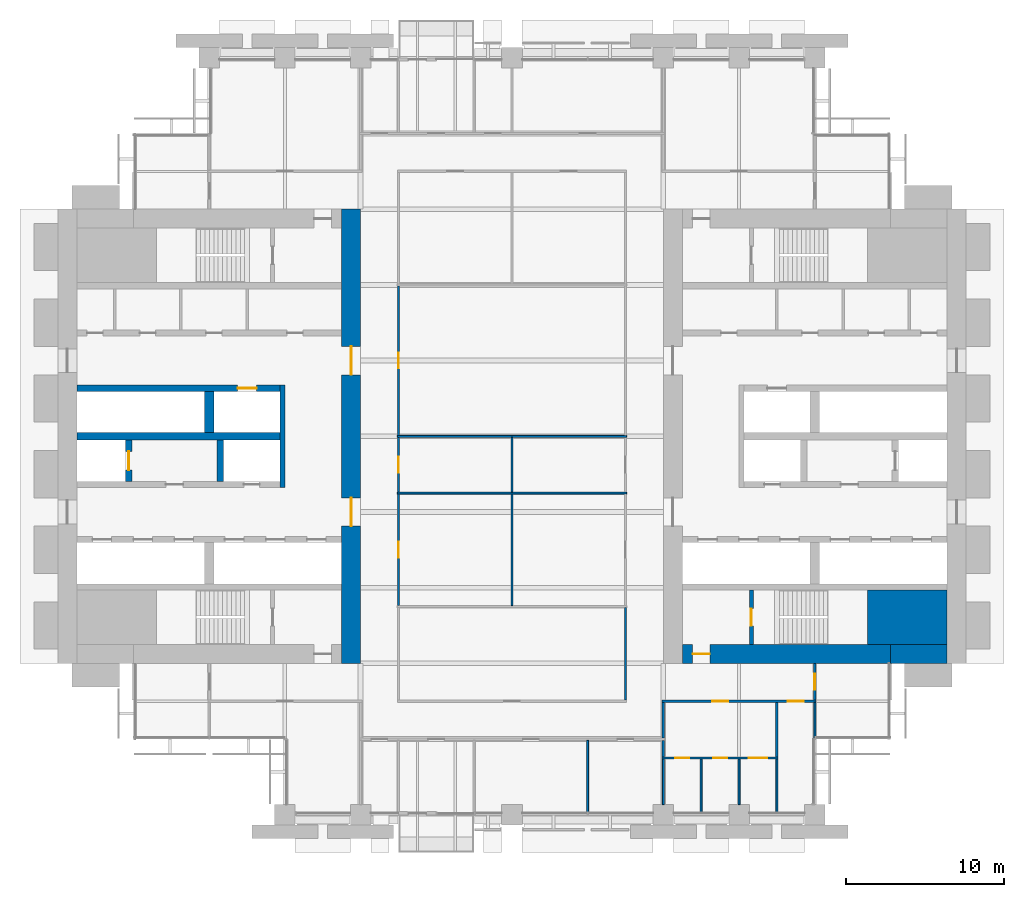
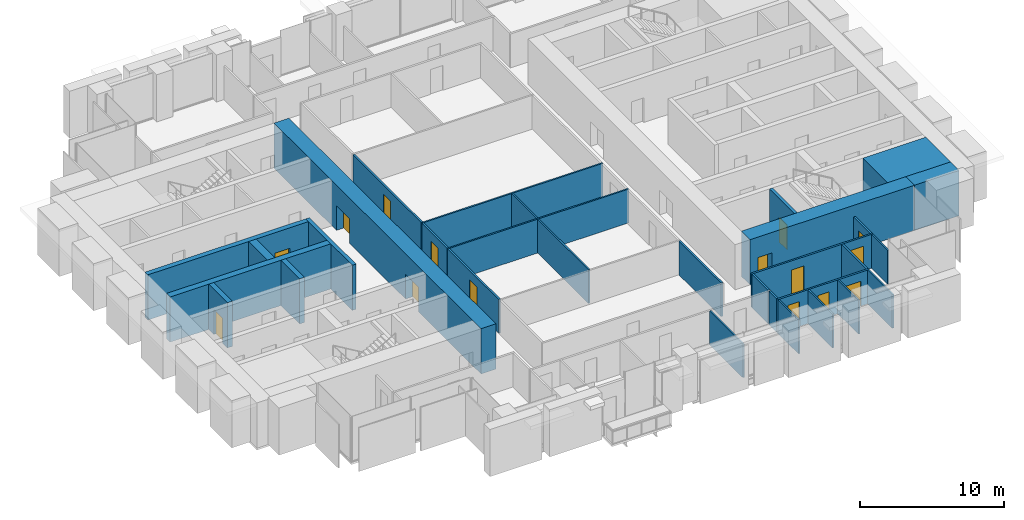
# One storey, part 10 of 15: 31 walls, 15 doors, 15 openings.
"""IFC4 building model written with IfcOpenShell, lengths in metres."""

from ifc_helpers import new_model, si_unit, direction, frame, frame_2d, origin, place, context, subcontext, project, spatial, rectangle, extrude, material, layer, layer_set, type_object, element, fill, save


model = new_model("IFC4")

# Units and contexts
model_context = context("Model", 3, precision=1e-05, world=origin(), true_north=direction((0.0, 1.0)))
body_context = subcontext(model_context, "Body", "Model", "MODEL_VIEW")
ifc_project = project(units=[si_unit("LENGTHUNIT", "METRE"), si_unit("AREAUNIT", "SQUARE_METRE"), si_unit("VOLUMEUNIT", "CUBIC_METRE"), si_unit("PLANEANGLEUNIT", "RADIAN"), si_unit("MASSUNIT", "GRAM", prefix="KILO")], contexts=[model_context])

# Site, building, storey
site_placement = place(None, origin())
site = spatial("IfcSite", under=ifc_project, at=site_placement, CompositionType="ELEMENT")
building_placement = place(site_placement, origin())
building = spatial("IfcBuilding", under=site, at=building_placement, Name="Baori Bourse Tower", CompositionType="ELEMENT")
storey_placement = place(building_placement, frame((0.0, 0.0, 47.0)))
storey = spatial("IfcBuildingStorey", under=building, at=storey_placement, Name="L09", CompositionType="ELEMENT", Elevation=47.0)

# Wall
ifc_material_1 = material(Name="Concrete f'c 70 MPa", Category="concrete")
wall_type_1 = type_object("IfcWallType", Name="Core corner block f'c 70", PredefinedType="SHEAR", material=ifc_material_1)
wall_1_placement = place(storey_placement, frame((51.35009765625, 12.52490234375, 0.0), z_axis=(0.0, 0.0, 1.0), x_axis=(1.0, 0.0, 0.0)))
element("IfcWall", 1, at=wall_1_placement, inside=storey, type_object=wall_type_1, Name="Core wall E05", PredefinedType="SHEAR", context=body_context, shape_type="SweptSolid", body=[
    extrude(rectangle(XDim=5.0498046875, YDim=3.449951171875, at=frame_2d((2.52490234375, 0.0))), origin(), (0.0, 0.0, 1.0), 3.840087890625),
])

# Wall, openings, doors
ifc_material_2 = material(Name="Concrete f'c 70 MPa", Category="concrete")
ifc_layer_1 = layer(ifc_material_2, 1.199951171875)
ifc_layer_set_1 = layer_set([ifc_layer_1], Name="Core wall 1200 f'c 70")
wall_type_2 = type_object("IfcWallType", Name="Core wall 1200 f'c 70", PredefinedType="SHEAR", material=ifc_layer_set_1)
wall_2_placement = place(storey_placement, frame((18.60009765625, 38.39990234375, 0.0), z_axis=(0.0, 0.0, 1.0), x_axis=(0.0, -1.0, 0.0)))
wall_2 = element("IfcWall", 2, at=wall_2_placement, inside=storey, type_object=wall_type_2, Name="Core wall W04", PredefinedType="SHEAR", context=body_context, shape_type="SweptSolid", body=[
    extrude(rectangle(XDim=28.7998046875, YDim=1.199951171875, at=frame_2d((14.39990234375, 0.0))), origin(), (0.0, 0.0, 1.0), 3.840087890625),
])
opening_1_placement = place(wall_2_placement, frame((18.300048828125, 0.0, 0.0)))
opening_1 = element("IfcOpeningElement", 3, at=opening_1_placement, cuts=wall_2, Name="Opening L09-D107", PredefinedType="OPENING", context=body_context, shape_type="SweptSolid", body=[
    extrude(rectangle(XDim=1.800048828125, YDim=2.10009765625, at=frame_2d((0.89990234375, 1.050048828125))), frame((0.0, 0.60986328125, 0.0), z_axis=(0.0, -1.0, 0.0), x_axis=(1.0, 0.0, 0.0)), (0.0, 0.0, 1.0), 1.219970703125),
])
opening_2_placement = place(wall_2_placement, frame((8.699951171875, 0.0, 0.0)))
opening_2 = element("IfcOpeningElement", 4, at=opening_2_placement, cuts=wall_2, Name="Opening L09-D108", PredefinedType="OPENING", context=body_context, shape_type="SweptSolid", body=[
    extrude(rectangle(XDim=1.800048828125, YDim=2.10009765625, at=frame_2d((0.89990234375, 1.050048828125))), frame((0.0, 0.60986328125, 0.0), z_axis=(0.0, -1.0, 0.0), x_axis=(1.0, 0.0, 0.0)), (0.0, 0.0, 1.0), 1.219970703125),
])
ifc_material_3 = material(Name="Painted steel door", Category="steel")
door_type_1 = type_object("IfcDoorType", Name="Core lobby door 1800", OperationType="DOUBLE_DOOR_SINGLE_SWING", PredefinedType="DOOR", material=ifc_material_3)
door_1_placement = place(opening_1_placement, origin())
door_1 = element("IfcDoor", 5, at=door_1_placement, inside=storey, type_object=door_type_1, Name="Lobby door W L09", OperationType="DOUBLE_DOOR_SINGLE_SWING", OverallHeight=2.10009765625, OverallWidth=1.800048828125, PredefinedType="DOOR", context=body_context, shape_type="SweptSolid", body=[
    extrude(rectangle(XDim=1.800048828125, YDim=2.10009765625, at=frame_2d((0.89990234375, 1.050048828125))), frame((0.0, 0.02490234375, 0.0), z_axis=(0.0, -1.0, 0.0), x_axis=(1.0, 0.0, 0.0)), (0.0, 0.0, 1.0), 0.050048828125),
])
fill(opening_1, door_1)
door_2_placement = place(opening_2_placement, origin())
door_2 = element("IfcDoor", 6, at=door_2_placement, inside=storey, type_object=door_type_1, Name="Lobby door W L09", OperationType="DOUBLE_DOOR_SINGLE_SWING", OverallHeight=2.10009765625, OverallWidth=1.800048828125, PredefinedType="DOOR", context=body_context, shape_type="SweptSolid", body=[
    extrude(rectangle(XDim=1.800048828125, YDim=2.10009765625, at=frame_2d((0.89990234375, 1.050048828125))), frame((0.0, 0.02490234375, 0.0), z_axis=(0.0, -1.0, 0.0), x_axis=(1.0, 0.0, 0.0)), (0.0, 0.0, 1.0), 0.050048828125),
])
fill(opening_2, door_2)

# Wall
wall_3_placement = place(storey_placement, frame((56.39990234375, 10.199951171875, 0.0), z_axis=(0.0, 0.0, 1.0), x_axis=(-1.0, 0.0, 0.0)))
element("IfcWall", 7, at=wall_3_placement, inside=storey, type_object=wall_type_2, Name="Core wall E02", PredefinedType="SHEAR", context=body_context, shape_type="SweptSolid", body=[
    extrude(rectangle(XDim=3.599853515625, YDim=1.199951171875, at=frame_2d((1.7998046875, 0.0))), origin(), (0.0, 0.0, 1.0), 3.840087890625),
])

# Wall, opening, door
wall_4_placement = place(storey_placement, frame((52.800048828125, 10.199951171875, 0.0), z_axis=(0.0, 0.0, 1.0), x_axis=(-1.0, 0.0, 0.0)))
wall_4 = element("IfcWall", 8, at=wall_4_placement, inside=storey, type_object=wall_type_2, Name="Core wall E03", PredefinedType="SHEAR", context=body_context, shape_type="SweptSolid", body=[
    extrude(rectangle(XDim=13.199951171875, YDim=1.199951171875, at=frame_2d((6.60009765625, 0.0))), origin(), (0.0, 0.0, 1.0), 3.840087890625),
])
opening_3_placement = place(wall_4_placement, frame((11.449951171875, 0.0, 0.0)))
opening_3 = element("IfcOpeningElement", 9, at=opening_3_placement, cuts=wall_4, Name="Opening L09-D202", PredefinedType="OPENING", context=body_context, shape_type="SweptSolid", body=[
    extrude(rectangle(XDim=1.10009765625, YDim=2.10009765625, at=frame_2d((0.550048828125, 1.050048828125))), frame((0.0, 0.60986328125, 0.0), z_axis=(0.0, -1.0, 0.0), x_axis=(1.0, 0.0, 0.0)), (0.0, 0.0, 1.0), 1.219970703125),
])
ifc_material_4 = material(Name="Painted steel door", Category="steel")
door_type_2 = type_object("IfcDoorType", Name="Stair door 1100", OperationType="SINGLE_SWING_LEFT", PredefinedType="DOOR", material=ifc_material_4)
door_3_placement = place(opening_3_placement, origin())
door_3 = element("IfcDoor", 10, at=door_3_placement, inside=storey, type_object=door_type_2, Name="Stair vestibule door A E L09", OperationType="SINGLE_SWING_LEFT", OverallHeight=2.10009765625, OverallWidth=1.10009765625, PredefinedType="DOOR", context=body_context, shape_type="SweptSolid", body=[
    extrude(rectangle(XDim=1.10009765625, YDim=2.10009765625, at=frame_2d((0.550048828125, 1.050048828125))), frame((0.0, 0.02490234375, 0.0), z_axis=(0.0, -1.0, 0.0), x_axis=(1.0, 0.0, 0.0)), (0.0, 0.0, 1.0), 0.050048828125),
])
fill(opening_3, door_3)

# Wall, openings, doors
ifc_material_5 = material(Name="Gypsum board partition")
ifc_layer_2 = layer(ifc_material_5, 0.14990234375)
ifc_layer_set_2 = layer_set([ifc_layer_2], Name="Corridor partition 150")
wall_type_3 = type_object("IfcWallType", Name="Corridor partition 150", PredefinedType="PARTITIONING", material=ifc_layer_set_2)
wall_5_placement = place(storey_placement, frame((38.324951171875, 3.60009765625, 0.0), z_axis=(0.0, 0.0, 1.0), x_axis=(1.0, 0.0, 0.0)))
wall_5 = element("IfcWall", 11, at=wall_5_placement, inside=storey, type_object=wall_type_3, Name="Partition", PredefinedType="PARTITIONING", context=body_context, shape_type="SweptSolid", body=[
    extrude(rectangle(XDim=7.35009765625, YDim=0.14990234375, at=frame_2d((3.675048828125, 0.0))), origin(), (0.0, 0.0, 1.0), 2.86962890625),
])
opening_4_placement = place(wall_5_placement, frame((0.824951171875, 0.0, 0.0)))
opening_4 = element("IfcOpeningElement", 12, at=opening_4_placement, cuts=wall_5, Name="Opening L09-D01", PredefinedType="OPENING", context=body_context, shape_type="SweptSolid", body=[
    extrude(rectangle(XDim=0.89990234375, YDim=2.10009765625, at=frame_2d((0.449951171875, 1.050048828125))), frame((0.0, 0.0849609375, 0.0), z_axis=(0.0, -1.0, 0.0), x_axis=(1.0, 0.0, 0.0)), (0.0, 0.0, 1.0), 0.169921875),
])
opening_5_placement = place(wall_5_placement, frame((3.22509765625, 0.0, 0.0)))
opening_5 = element("IfcOpeningElement", 13, at=opening_5_placement, cuts=wall_5, Name="Opening L09-D02", PredefinedType="OPENING", context=body_context, shape_type="SweptSolid", body=[
    extrude(rectangle(XDim=0.89990234375, YDim=2.10009765625, at=frame_2d((0.449951171875, 1.050048828125))), frame((0.0, 0.0849609375, 0.0), z_axis=(0.0, -1.0, 0.0), x_axis=(1.0, 0.0, 0.0)), (0.0, 0.0, 1.0), 0.169921875),
])
opening_6_placement = place(wall_5_placement, frame((5.47509765625, 0.0, 0.0)))
opening_6 = element("IfcOpeningElement", 14, at=opening_6_placement, cuts=wall_5, Name="Opening L09-D03", PredefinedType="OPENING", context=body_context, shape_type="SweptSolid", body=[
    extrude(rectangle(XDim=1.199951171875, YDim=2.10009765625, at=frame_2d((0.60009765625, 1.050048828125))), frame((0.0, 0.0849609375, 0.0), z_axis=(0.0, -1.0, 0.0), x_axis=(1.0, 0.0, 0.0)), (0.0, 0.0, 1.0), 0.169921875),
])
ifc_material_6 = material(Name="Timber door leaf", Category="wood")
door_type_3 = type_object("IfcDoorType", Name="Door 1200 x 2100", OperationType="SINGLE_SWING_LEFT", PredefinedType="DOOR", material=ifc_material_6)
door_4_placement = place(opening_6_placement, origin())
door_4 = element("IfcDoor", 15, at=door_4_placement, inside=storey, type_object=door_type_3, Name="Door", OperationType="SINGLE_SWING_RIGHT", OverallHeight=2.10009765625, OverallWidth=1.199951171875, PredefinedType="DOOR", context=body_context, shape_type="SweptSolid", body=[
    extrude(rectangle(XDim=1.199951171875, YDim=2.10009765625, at=frame_2d((0.60009765625, 1.050048828125))), frame((0.0, 0.02490234375, 0.0), z_axis=(0.0, -1.0, 0.0), x_axis=(1.0, 0.0, 0.0)), (0.0, 0.0, 1.0), 0.050048828125),
])
fill(opening_6, door_4)
ifc_material_7 = material(Name="Timber door leaf", Category="wood")
door_type_4 = type_object("IfcDoorType", Name="Door 900 x 2100", OperationType="SINGLE_SWING_LEFT", PredefinedType="DOOR", material=ifc_material_7)
door_5_placement = place(opening_4_placement, origin())
door_5 = element("IfcDoor", 16, at=door_5_placement, inside=storey, type_object=door_type_4, Name="Door", OperationType="SINGLE_SWING_LEFT", OverallHeight=2.10009765625, OverallWidth=0.89990234375, PredefinedType="DOOR", context=body_context, shape_type="SweptSolid", body=[
    extrude(rectangle(XDim=0.89990234375, YDim=2.10009765625, at=frame_2d((0.449951171875, 1.050048828125))), frame((0.0, 0.02490234375, 0.0), z_axis=(0.0, -1.0, 0.0), x_axis=(1.0, 0.0, 0.0)), (0.0, 0.0, 1.0), 0.050048828125),
])
fill(opening_4, door_5)
door_6_placement = place(opening_5_placement, origin())
door_6 = element("IfcDoor", 17, at=door_6_placement, inside=storey, type_object=door_type_4, Name="Door", OperationType="SINGLE_SWING_LEFT", OverallHeight=2.10009765625, OverallWidth=0.89990234375, PredefinedType="DOOR", context=body_context, shape_type="SweptSolid", body=[
    extrude(rectangle(XDim=0.89990234375, YDim=2.10009765625, at=frame_2d((0.449951171875, 1.050048828125))), frame((0.0, 0.02490234375, 0.0), z_axis=(0.0, -1.0, 0.0), x_axis=(1.0, 0.0, 0.0)), (0.0, 0.0, 1.0), 0.050048828125),
])
fill(opening_5, door_6)

wall_6_placement = place(storey_placement, frame((38.324951171875, 7.199951171875, 0.0), z_axis=(0.0, 0.0, 1.0), x_axis=(1.0, 0.0, 0.0)))
wall_6 = element("IfcWall", 18, at=wall_6_placement, inside=storey, type_object=wall_type_3, Name="Partition", PredefinedType="PARTITIONING", context=body_context, shape_type="SweptSolid", body=[
    extrude(rectangle(XDim=9.75, YDim=0.14990234375, at=frame_2d((4.875, 0.0))), origin(), (0.0, 0.0, 1.0), 2.86962890625),
])
opening_7_placement = place(wall_6_placement, frame((3.175048828125, 0.0, 0.0)))
opening_7 = element("IfcOpeningElement", 19, at=opening_7_placement, cuts=wall_6, Name="Opening L09-D10", PredefinedType="OPENING", context=body_context, shape_type="SweptSolid", body=[
    extrude(rectangle(XDim=1.0, YDim=2.10009765625, at=frame_2d((0.5, 1.050048828125))), frame((0.0, 0.0849609375, 0.0), z_axis=(0.0, -1.0, 0.0), x_axis=(1.0, 0.0, 0.0)), (0.0, 0.0, 1.0), 0.169921875),
])
opening_8_placement = place(wall_6_placement, frame((7.97509765625, 0.0, 0.0)))
opening_8 = element("IfcOpeningElement", 20, at=opening_8_placement, cuts=wall_6, Name="Opening L09-D11", PredefinedType="OPENING", context=body_context, shape_type="SweptSolid", body=[
    extrude(rectangle(XDim=1.0, YDim=2.10009765625, at=frame_2d((0.5, 1.050048828125))), frame((0.0, 0.0849609375, 0.0), z_axis=(0.0, -1.0, 0.0), x_axis=(1.0, 0.0, 0.0)), (0.0, 0.0, 1.0), 0.169921875),
])
ifc_material_8 = material(Name="Timber door leaf", Category="wood")
door_type_5 = type_object("IfcDoorType", Name="Door 1000 x 2100", OperationType="SINGLE_SWING_LEFT", PredefinedType="DOOR", material=ifc_material_8)
door_7_placement = place(opening_7_placement, origin())
door_7 = element("IfcDoor", 21, at=door_7_placement, inside=storey, type_object=door_type_5, Name="Door", OperationType="SINGLE_SWING_RIGHT", OverallHeight=2.10009765625, OverallWidth=1.0, PredefinedType="DOOR", context=body_context, shape_type="SweptSolid", body=[
    extrude(rectangle(XDim=1.0, YDim=2.10009765625, at=frame_2d((0.5, 1.050048828125))), frame((0.0, 0.02490234375, 0.0), z_axis=(0.0, -1.0, 0.0), x_axis=(1.0, 0.0, 0.0)), (0.0, 0.0, 1.0), 0.050048828125),
])
fill(opening_7, door_7)
door_8_placement = place(opening_8_placement, origin())
door_8 = element("IfcDoor", 22, at=door_8_placement, inside=storey, type_object=door_type_5, Name="Door", OperationType="SINGLE_SWING_RIGHT", OverallHeight=2.10009765625, OverallWidth=1.0, PredefinedType="DOOR", context=body_context, shape_type="SweptSolid", body=[
    extrude(rectangle(XDim=1.0, YDim=2.10009765625, at=frame_2d((0.5, 1.050048828125))), frame((0.0, 0.02490234375, 0.0), z_axis=(0.0, -1.0, 0.0), x_axis=(1.0, 0.0, 0.0)), (0.0, 0.0, 1.0), 0.050048828125),
])
fill(opening_8, door_8)

# Wall, opening, door
wall_7_placement = place(storey_placement, frame((21.60009765625, 13.262451171875, 0.0), z_axis=(0.0, 0.0, 1.0), x_axis=(0.0, 1.0, 0.0)))
wall_7 = element("IfcWall", 23, at=wall_7_placement, inside=storey, type_object=wall_type_3, Name="Partition", PredefinedType="PARTITIONING", context=body_context, shape_type="SweptSolid", body=[
    extrude(rectangle(XDim=7.074951171875, YDim=0.14990234375, at=frame_2d((3.53759765625, 0.0))), origin(), (0.0, 0.0, 1.0), 2.86962890625),
])
opening_9_placement = place(wall_7_placement, frame((3.03759765625, 0.0, 0.0)))
opening_9 = element("IfcOpeningElement", 24, at=opening_9_placement, cuts=wall_7, Name="Opening L09-D22", PredefinedType="OPENING", context=body_context, shape_type="SweptSolid", body=[
    extrude(rectangle(XDim=1.0, YDim=2.10009765625, at=frame_2d((0.5, 1.050048828125))), frame((0.0, 0.0849609375, 0.0), z_axis=(0.0, -1.0, 0.0), x_axis=(1.0, 0.0, 0.0)), (0.0, 0.0, 1.0), 0.169921875),
])
door_9_placement = place(opening_9_placement, origin())
door_9 = element("IfcDoor", 25, at=door_9_placement, inside=storey, type_object=door_type_5, Name="Door", OperationType="SINGLE_SWING_RIGHT", OverallHeight=2.10009765625, OverallWidth=1.0, PredefinedType="DOOR", context=body_context, shape_type="SweptSolid", body=[
    extrude(rectangle(XDim=1.0, YDim=2.10009765625, at=frame_2d((0.5, 1.050048828125))), frame((0.0, 0.02490234375, 0.0), z_axis=(0.0, -1.0, 0.0), x_axis=(1.0, 0.0, 0.0)), (0.0, 0.0, 1.0), 0.050048828125),
])
fill(opening_9, door_9)

wall_8_placement = place(storey_placement, frame((21.60009765625, 20.46240234375, 0.0), z_axis=(0.0, 0.0, 1.0), x_axis=(0.0, 1.0, 0.0)))
wall_8 = element("IfcWall", 26, at=wall_8_placement, inside=storey, type_object=wall_type_3, Name="Partition", PredefinedType="PARTITIONING", context=body_context, shape_type="SweptSolid", body=[
    extrude(rectangle(XDim=3.47509765625, YDim=0.14990234375, at=frame_2d((1.737548828125, 0.0))), origin(), (0.0, 0.0, 1.0), 2.86962890625),
])
opening_10_placement = place(wall_8_placement, frame((1.237548828125, 0.0, 0.0)))
opening_10 = element("IfcOpeningElement", 27, at=opening_10_placement, cuts=wall_8, Name="Opening L09-D23", PredefinedType="OPENING", context=body_context, shape_type="SweptSolid", body=[
    extrude(rectangle(XDim=1.0, YDim=2.10009765625, at=frame_2d((0.5, 1.050048828125))), frame((0.0, 0.0849609375, 0.0), z_axis=(0.0, -1.0, 0.0), x_axis=(1.0, 0.0, 0.0)), (0.0, 0.0, 1.0), 0.169921875),
])
door_10_placement = place(opening_10_placement, origin())
door_10 = element("IfcDoor", 28, at=door_10_placement, inside=storey, type_object=door_type_5, Name="Door", OperationType="SINGLE_SWING_LEFT", OverallHeight=2.10009765625, OverallWidth=1.0, PredefinedType="DOOR", context=body_context, shape_type="SweptSolid", body=[
    extrude(rectangle(XDim=1.0, YDim=2.10009765625, at=frame_2d((0.5, 1.050048828125))), frame((0.0, 0.02490234375, 0.0), z_axis=(0.0, -1.0, 0.0), x_axis=(1.0, 0.0, 0.0)), (0.0, 0.0, 1.0), 0.050048828125),
])
fill(opening_10, door_10)

wall_9_placement = place(storey_placement, frame((21.60009765625, 24.0625, 0.0), z_axis=(0.0, 0.0, 1.0), x_axis=(0.0, 1.0, 0.0)))
wall_9 = element("IfcWall", 29, at=wall_9_placement, inside=storey, type_object=wall_type_3, Name="Partition", PredefinedType="PARTITIONING", context=body_context, shape_type="SweptSolid", body=[
    extrude(rectangle(XDim=9.47509765625, YDim=0.14990234375, at=frame_2d((4.737548828125, 0.0))), origin(), (0.0, 0.0, 1.0), 2.86962890625),
])
opening_11_placement = place(wall_9_placement, frame((4.237548828125, 0.0, 0.0)))
opening_11 = element("IfcOpeningElement", 30, at=opening_11_placement, cuts=wall_9, Name="Opening L09-D24", PredefinedType="OPENING", context=body_context, shape_type="SweptSolid", body=[
    extrude(rectangle(XDim=1.0, YDim=2.10009765625, at=frame_2d((0.5, 1.050048828125))), frame((0.0, 0.0849609375, 0.0), z_axis=(0.0, -1.0, 0.0), x_axis=(1.0, 0.0, 0.0)), (0.0, 0.0, 1.0), 0.169921875),
])
door_11_placement = place(opening_11_placement, origin())
door_11 = element("IfcDoor", 31, at=door_11_placement, inside=storey, type_object=door_type_5, Name="Door", OperationType="SINGLE_SWING_LEFT", OverallHeight=2.10009765625, OverallWidth=1.0, PredefinedType="DOOR", context=body_context, shape_type="SweptSolid", body=[
    extrude(rectangle(XDim=1.0, YDim=2.10009765625, at=frame_2d((0.5, 1.050048828125))), frame((0.0, 0.02490234375, 0.0), z_axis=(0.0, -1.0, 0.0), x_axis=(1.0, 0.0, 0.0)), (0.0, 0.0, 1.0), 0.050048828125),
])
fill(opening_11, door_11)

# Walls
wall_10_placement = place(storey_placement, frame((36.0, 7.27490234375, 0.0), z_axis=(0.0, 0.0, 1.0), x_axis=(0.0, 1.0, 0.0)))
element("IfcWall", 32, at=wall_10_placement, inside=storey, type_object=wall_type_3, Name="Partition", PredefinedType="PARTITIONING", context=body_context, shape_type="SweptSolid", body=[
    extrude(rectangle(XDim=5.862548828125, YDim=0.14990234375, at=frame_2d((2.93115234375, 0.0))), origin(), (0.0, 0.0, 1.0), 2.86962890625),
])
wall_11_placement = place(storey_placement, frame((38.39990234375, 3.675048828125, 0.0), z_axis=(0.0, 0.0, 1.0), x_axis=(0.0, 1.0, 0.0)))
element("IfcWall", 33, at=wall_11_placement, inside=storey, type_object=wall_type_3, Name="Partition", PredefinedType="PARTITIONING", context=body_context, shape_type="SweptSolid", body=[
    extrude(rectangle(XDim=1.050048828125, YDim=0.14990234375, at=frame_2d((0.52490234375, 0.0))), origin(), (0.0, 0.0, 1.0), 2.86962890625),
])
wall_12_placement = place(storey_placement, frame((38.39990234375, 4.875, 0.0), z_axis=(0.0, 0.0, 1.0), x_axis=(0.0, 1.0, 0.0)))
element("IfcWall", 34, at=wall_12_placement, inside=storey, type_object=wall_type_3, Name="Partition", PredefinedType="PARTITIONING", context=body_context, shape_type="SweptSolid", body=[
    extrude(rectangle(XDim=2.25, YDim=0.14990234375, at=frame_2d((1.125, 0.0))), origin(), (0.0, 0.0, 1.0), 2.86962890625),
])
wall_13_placement = place(storey_placement, frame((45.60009765625, 3.675048828125, 0.0), z_axis=(0.0, 0.0, 1.0), x_axis=(0.0, 1.0, 0.0)))
element("IfcWall", 35, at=wall_13_placement, inside=storey, type_object=wall_type_3, Name="Partition", PredefinedType="PARTITIONING", context=body_context, shape_type="SweptSolid", body=[
    extrude(rectangle(XDim=3.449951171875, YDim=0.14990234375, at=frame_2d((1.72509765625, 0.0))), origin(), (0.0, 0.0, 1.0), 2.86962890625),
])

# Wall, opening, door
wall_14_placement = place(storey_placement, frame((48.0, 7.27490234375, 0.0), z_axis=(0.0, 0.0, 1.0), x_axis=(0.0, 1.0, 0.0)))
wall_14 = element("IfcWall", 36, at=wall_14_placement, inside=storey, type_object=wall_type_3, Name="Partition", PredefinedType="PARTITIONING", context=body_context, shape_type="SweptSolid", body=[
    extrude(rectangle(XDim=2.3251953125, YDim=0.14990234375, at=frame_2d((1.16259765625, 0.0))), origin(), (0.0, 0.0, 1.0), 2.86962890625),
])
opening_12_placement = place(wall_14_placement, frame((0.66259765625, 0.0, 0.0)))
opening_12 = element("IfcOpeningElement", 37, at=opening_12_placement, cuts=wall_14, Name="Opening L09-D27", PredefinedType="OPENING", context=body_context, shape_type="SweptSolid", body=[
    extrude(rectangle(XDim=1.0, YDim=2.10009765625, at=frame_2d((0.5, 1.050048828125))), frame((0.0, 0.0849609375, 0.0), z_axis=(0.0, -1.0, 0.0), x_axis=(1.0, 0.0, 0.0)), (0.0, 0.0, 1.0), 0.169921875),
])
door_12_placement = place(opening_12_placement, origin())
door_12 = element("IfcDoor", 38, at=door_12_placement, inside=storey, type_object=door_type_5, Name="Door", OperationType="SINGLE_SWING_LEFT", OverallHeight=2.10009765625, OverallWidth=1.0, PredefinedType="DOOR", context=body_context, shape_type="SweptSolid", body=[
    extrude(rectangle(XDim=1.0, YDim=2.10009765625, at=frame_2d((0.5, 1.050048828125))), frame((0.0, 0.02490234375, 0.0), z_axis=(0.0, -1.0, 0.0), x_axis=(1.0, 0.0, 0.0)), (0.0, 0.0, 1.0), 0.050048828125),
])
fill(opening_12, door_12)

# Walls
ifc_material_9 = material(Name="Gypsum board partition")
ifc_layer_3 = layer(ifc_material_9, 0.125)
ifc_layer_set_3 = layer_set([ifc_layer_3], Name="Partition 125")
wall_type_4 = type_object("IfcWallType", Name="Partition 125", PredefinedType="PARTITIONING", material=ifc_layer_set_3)
for number, where, z_axis, x_axis, name in (
    (39, (21.52490234375, 20.39990234375, 0.0), (0.0, 0.0, 1.0), (1.0, 0.0, 0.0), "Partition"),
    (40, (21.52490234375, 24.0, 0.0), (0.0, 0.0, 1.0), (1.0, 0.0, 0.0), "Partition"),
):
    element("IfcWall", number, at=place(storey_placement, frame(where, z_axis=z_axis, x_axis=x_axis)), inside=storey, type_object=wall_type_4, Name=name, PredefinedType="PARTITIONING", context=body_context, shape_type="SweptSolid", body=[
        extrude(rectangle(XDim=14.550048828125, YDim=0.125, at=frame_2d((7.27490234375, 0.0))), origin(), (0.0, 0.0, 1.0), 2.86962890625),
    ])
wall_15_placement = place(storey_placement, frame((28.800048828125, 13.262451171875, 0.0), z_axis=(0.0, 0.0, 1.0), x_axis=(0.0, 1.0, 0.0)))
element("IfcWall", 41, at=wall_15_placement, inside=storey, type_object=wall_type_4, Name="Partition", PredefinedType="PARTITIONING", context=body_context, shape_type="SweptSolid", body=[
    extrude(rectangle(XDim=7.074951171875, YDim=0.125, at=frame_2d((3.53759765625, 0.0))), origin(), (0.0, 0.0, 1.0), 2.86962890625),
])
wall_16_placement = place(storey_placement, frame((28.800048828125, 20.46240234375, 0.0), z_axis=(0.0, 0.0, 1.0), x_axis=(0.0, 1.0, 0.0)))
element("IfcWall", 42, at=wall_16_placement, inside=storey, type_object=wall_type_4, Name="Partition", PredefinedType="PARTITIONING", context=body_context, shape_type="SweptSolid", body=[
    extrude(rectangle(XDim=3.47509765625, YDim=0.125, at=frame_2d((1.737548828125, 0.0))), origin(), (0.0, 0.0, 1.0), 2.86962890625),
])
wall_17_placement = place(storey_placement, frame((33.60009765625, 0.10009765625, 0.0), z_axis=(0.0, 0.0, 1.0), x_axis=(0.0, 1.0, 0.0)))
element("IfcWall", 43, at=wall_17_placement, inside=storey, type_object=wall_type_4, Name="Partition", PredefinedType="PARTITIONING", context=body_context, shape_type="SweptSolid", body=[
    extrude(rectangle(XDim=4.625, YDim=0.125, at=frame_2d((2.3125, 0.0))), origin(), (0.0, 0.0, 1.0), 2.86962890625),
])
wall_18_placement = place(storey_placement, frame((38.39990234375, 0.64990234375, 0.0), z_axis=(0.0, 0.0, 1.0), x_axis=(0.0, 1.0, 0.0)))
element("IfcWall", 44, at=wall_18_placement, inside=storey, type_object=wall_type_4, Name="Partition", PredefinedType="PARTITIONING", context=body_context, shape_type="SweptSolid", body=[
    extrude(rectangle(XDim=2.875, YDim=0.125, at=frame_2d((1.4375, 0.0))), origin(), (0.0, 0.0, 1.0), 2.86962890625),
])
wall_19_placement = place(storey_placement, frame((40.800048828125, 0.10009765625, 0.0), z_axis=(0.0, 0.0, 1.0), x_axis=(0.0, 1.0, 0.0)))
element("IfcWall", 45, at=wall_19_placement, inside=storey, type_object=wall_type_4, Name="Partition", PredefinedType="PARTITIONING", context=body_context, shape_type="SweptSolid", body=[
    extrude(rectangle(XDim=3.4248046875, YDim=0.125, at=frame_2d((1.71240234375, 0.0))), origin(), (0.0, 0.0, 1.0), 2.86962890625),
])
wall_20_placement = place(storey_placement, frame((43.199951171875, 0.64990234375, 0.0), z_axis=(0.0, 0.0, 1.0), x_axis=(0.0, 1.0, 0.0)))
element("IfcWall", 46, at=wall_20_placement, inside=storey, type_object=wall_type_4, Name="Partition", PredefinedType="PARTITIONING", context=body_context, shape_type="SweptSolid", body=[
    extrude(rectangle(XDim=2.875, YDim=0.125, at=frame_2d((1.4375, 0.0))), origin(), (0.0, 0.0, 1.0), 2.86962890625),
])
wall_21_placement = place(storey_placement, frame((45.60009765625, 0.10009765625, 0.0), z_axis=(0.0, 0.0, 1.0), x_axis=(0.0, 1.0, 0.0)))
element("IfcWall", 47, at=wall_21_placement, inside=storey, type_object=wall_type_4, Name="Partition", PredefinedType="PARTITIONING", context=body_context, shape_type="SweptSolid", body=[
    extrude(rectangle(XDim=3.4248046875, YDim=0.125, at=frame_2d((1.71240234375, 0.0))), origin(), (0.0, 0.0, 1.0), 2.86962890625),
])
wall_22_placement = place(storey_placement, frame((48.0, 4.89990234375, 0.0), z_axis=(0.0, 0.0, 1.0), x_axis=(0.0, 1.0, 0.0)))
element("IfcWall", 48, at=wall_22_placement, inside=storey, type_object=wall_type_4, Name="Partition", PredefinedType="PARTITIONING", context=body_context, shape_type="SweptSolid", body=[
    extrude(rectangle(XDim=2.22509765625, YDim=0.125, at=frame_2d((1.112548828125, 0.0))), origin(), (0.0, 0.0, 1.0), 2.86962890625),
])

# Wall, opening, door
ifc_material_10 = material(Name="Concrete f'c 70 MPa", Category="concrete")
ifc_layer_4 = layer(ifc_material_10, 0.25)
ifc_layer_set_4 = layer_set([ifc_layer_4], Name="Shaft wall 250 f'c 70")
wall_type_5 = type_object("IfcWallType", Name="Shaft wall 250 f'c 70", PredefinedType="SHEAR", material=ifc_layer_set_4)
wall_23_placement = place(storey_placement, frame((43.97509765625, 10.800048828125, 0.0), z_axis=(0.0, 0.0, 1.0), x_axis=(0.0, 1.0, 0.0)))
wall_23 = element("IfcWall", 49, at=wall_23_placement, inside=storey, type_object=wall_type_5, Name="Core wall E06", PredefinedType="SHEAR", context=body_context, shape_type="SweptSolid", body=[
    extrude(rectangle(XDim=3.449951171875, YDim=0.25, at=frame_2d((1.72509765625, 0.0))), origin(), (0.0, 0.0, 1.0), 3.840087890625),
])
opening_13_placement = place(wall_23_placement, frame((1.175048828125, 0.0, 0.0)))
opening_13 = element("IfcOpeningElement", 50, at=opening_13_placement, cuts=wall_23, Name="Opening L09-D201", PredefinedType="OPENING", context=body_context, shape_type="SweptSolid", body=[
    extrude(rectangle(XDim=1.10009765625, YDim=2.10009765625, at=frame_2d((0.550048828125, 1.050048828125))), frame((0.0, 0.135009765625, 0.0), z_axis=(0.0, -1.0, 0.0), x_axis=(1.0, 0.0, 0.0)), (0.0, 0.0, 1.0), 0.27001953125),
])
door_13_placement = place(opening_13_placement, origin())
door_13 = element("IfcDoor", 51, at=door_13_placement, inside=storey, type_object=door_type_2, Name="Stair door A E L09", OperationType="SINGLE_SWING_LEFT", OverallHeight=2.10009765625, OverallWidth=1.10009765625, PredefinedType="DOOR", context=body_context, shape_type="SweptSolid", body=[
    extrude(rectangle(XDim=1.10009765625, YDim=2.10009765625, at=frame_2d((0.550048828125, 1.050048828125))), frame((0.0, 0.02490234375, 0.0), z_axis=(0.0, -1.0, 0.0), x_axis=(1.0, 0.0, 0.0)), (0.0, 0.0, 1.0), 0.050048828125),
])
fill(opening_13, door_13)

# Wall
ifc_material_11 = material(Name="Concrete f'c 70 MPa", Category="concrete")
ifc_layer_5 = layer(ifc_material_11, 0.300048828125)
ifc_layer_set_5 = layer_set([ifc_layer_5], Name="Shaft wall 300 f'c 70")
wall_type_6 = type_object("IfcWallType", Name="Shaft wall 300 f'c 70", PredefinedType="SHEAR", material=ifc_layer_set_5)
wall_24_placement = place(storey_placement, frame((14.25, 20.75, 0.0), z_axis=(0.0, 0.0, 1.0), x_axis=(0.0, 1.0, 0.0)))
element("IfcWall", 52, at=wall_24_placement, inside=storey, type_object=wall_type_6, Name="Core wall W11", PredefinedType="SHEAR", context=body_context, shape_type="SweptSolid", body=[
    extrude(rectangle(XDim=6.5, YDim=0.300048828125, at=frame_2d((3.25, 0.0))), origin(), (0.0, 0.0, 1.0), 3.840087890625),
])

# Wall, opening, door
ifc_material_12 = material(Name="Concrete f'c 70 MPa", Category="concrete")
ifc_layer_6 = layer(ifc_material_12, 0.39990234375)
ifc_layer_set_6 = layer_set([ifc_layer_6], Name="Shaft wall 400 f'c 70")
wall_type_7 = type_object("IfcWallType", Name="Shaft wall 400 f'c 70", PredefinedType="SHEAR", material=ifc_layer_set_6)
wall_25_placement = place(storey_placement, frame((4.5, 21.14990234375, 0.0), z_axis=(0.0, 0.0, 1.0), x_axis=(0.0, 1.0, 0.0)))
wall_25 = element("IfcWall", 53, at=wall_25_placement, inside=storey, type_object=wall_type_7, Name="Core wall W12", PredefinedType="SHEAR", context=body_context, shape_type="SweptSolid", body=[
    extrude(rectangle(XDim=2.60009765625, YDim=0.39990234375, at=frame_2d((1.300048828125, 0.0))), origin(), (0.0, 0.0, 1.0), 3.840087890625),
])
opening_14_placement = place(wall_25_placement, frame((0.699951171875, 0.0, 0.0)))
opening_14 = element("IfcOpeningElement", 54, at=opening_14_placement, cuts=wall_25, Name="Opening L09-D120", PredefinedType="OPENING", context=body_context, shape_type="SweptSolid", body=[
    extrude(rectangle(XDim=1.199951171875, YDim=2.10009765625, at=frame_2d((0.60009765625, 1.050048828125))), frame((0.0, 0.2099609375, 0.0), z_axis=(0.0, -1.0, 0.0), x_axis=(1.0, 0.0, 0.0)), (0.0, 0.0, 1.0), 0.419921875),
])
ifc_material_13 = material(Name="Stainless steel door", Category="steel")
door_type_6 = type_object("IfcDoorType", Name="Lift landing door", OperationType="DOUBLE_DOOR_SLIDING", PredefinedType="DOOR", material=ifc_material_13)
door_14_placement = place(opening_14_placement, origin())
door_14 = element("IfcDoor", 55, at=door_14_placement, inside=storey, type_object=door_type_6, Name="Lift landing door FF1 W L09", OperationType="DOUBLE_DOOR_SLIDING", OverallHeight=2.10009765625, OverallWidth=1.199951171875, PredefinedType="DOOR", context=body_context, shape_type="SweptSolid", body=[
    extrude(rectangle(XDim=1.199951171875, YDim=2.10009765625, at=frame_2d((0.60009765625, 1.050048828125))), frame((0.0, 0.02490234375, 0.0), z_axis=(0.0, -1.0, 0.0), x_axis=(1.0, 0.0, 0.0)), (0.0, 0.0, 1.0), 0.050048828125),
])
fill(opening_14, door_14)

# Wall
wall_26_placement = place(storey_placement, frame((10.300048828125, 21.14990234375, 0.0), z_axis=(0.0, 0.0, 1.0), x_axis=(0.0, 1.0, 0.0)))
element("IfcWall", 56, at=wall_26_placement, inside=storey, type_object=wall_type_7, Name="Core wall W13", PredefinedType="SHEAR", context=body_context, shape_type="SweptSolid", body=[
    extrude(rectangle(XDim=2.60009765625, YDim=0.39990234375, at=frame_2d((1.300048828125, 0.0))), origin(), (0.0, 0.0, 1.0), 3.840087890625),
])

# Wall, opening, door
wall_27_placement = place(storey_placement, frame((1.199951171875, 27.050048828125, 0.0), z_axis=(0.0, 0.0, 1.0), x_axis=(1.0, 0.0, 0.0)))
wall_27 = element("IfcWall", 57, at=wall_27_placement, inside=storey, type_object=wall_type_7, Name="Core wall W16", PredefinedType="SHEAR", context=body_context, shape_type="SweptSolid", body=[
    extrude(rectangle(XDim=12.900146484375, YDim=0.39990234375, at=frame_2d((6.4501953125, 0.0))), origin(), (0.0, 0.0, 1.0), 3.840087890625),
])
opening_15_placement = place(wall_27_placement, frame((10.199951171875, 0.0, 0.0)))
opening_15 = element("IfcOpeningElement", 58, at=opening_15_placement, cuts=wall_27, Name="Opening L09-D119", PredefinedType="OPENING", context=body_context, shape_type="SweptSolid", body=[
    extrude(rectangle(XDim=1.199951171875, YDim=2.10009765625, at=frame_2d((0.60009765625, 1.050048828125))), frame((0.0, 0.2099609375, 0.0), z_axis=(0.0, -1.0, 0.0), x_axis=(1.0, 0.0, 0.0)), (0.0, 0.0, 1.0), 0.419921875),
])
door_15_placement = place(opening_15_placement, origin())
door_15 = element("IfcDoor", 59, at=door_15_placement, inside=storey, type_object=door_type_6, Name="Lift landing door SV1 W L09", OperationType="DOUBLE_DOOR_SLIDING", OverallHeight=2.10009765625, OverallWidth=1.199951171875, PredefinedType="DOOR", context=body_context, shape_type="SweptSolid", body=[
    extrude(rectangle(XDim=1.199951171875, YDim=2.10009765625, at=frame_2d((0.60009765625, 1.050048828125))), frame((0.0, 0.02490234375, 0.0), z_axis=(0.0, -1.0, 0.0), x_axis=(1.0, 0.0, 0.0)), (0.0, 0.0, 1.0), 0.050048828125),
])
fill(opening_15, door_15)

# Walls
ifc_material_14 = material(Name="Concrete f'c 70 MPa", Category="concrete")
ifc_layer_7 = layer(ifc_material_14, 0.5)
ifc_layer_set_7 = layer_set([ifc_layer_7], Name="Shaft wall 500 f'c 70")
wall_type_8 = type_object("IfcWallType", Name="Shaft wall 500 f'c 70", PredefinedType="SHEAR", material=ifc_layer_set_7)
wall_28_placement = place(storey_placement, frame((1.199951171875, 24.0, 0.0), z_axis=(0.0, 0.0, 1.0), x_axis=(1.0, 0.0, 0.0)))
element("IfcWall", 60, at=wall_28_placement, inside=storey, type_object=wall_type_8, Name="Core wall W14", PredefinedType="SHEAR", context=body_context, shape_type="SweptSolid", body=[
    extrude(rectangle(XDim=12.900146484375, YDim=0.5, at=frame_2d((6.4501953125, 0.0))), origin(), (0.0, 0.0, 1.0), 3.840087890625),
])
ifc_material_15 = material(Name="Concrete f'c 70 MPa", Category="concrete")
ifc_layer_8 = layer(ifc_material_15, 0.60009765625)
ifc_layer_set_8 = layer_set([ifc_layer_8], Name="Shaft wall 600 f'c 70")
wall_type_9 = type_object("IfcWallType", Name="Shaft wall 600 f'c 70", PredefinedType="SHEAR", material=ifc_layer_set_8)
wall_29_placement = place(storey_placement, frame((9.60009765625, 24.25, 0.0), z_axis=(0.0, 0.0, 1.0), x_axis=(0.0, 1.0, 0.0)))
element("IfcWall", 61, at=wall_29_placement, inside=storey, type_object=wall_type_9, Name="Core wall W15", PredefinedType="SHEAR", context=body_context, shape_type="SweptSolid", body=[
    extrude(rectangle(XDim=2.60009765625, YDim=0.60009765625, at=frame_2d((1.300048828125, 0.0))), origin(), (0.0, 0.0, 1.0), 3.840087890625),
])

save(model, "model.ifc")
